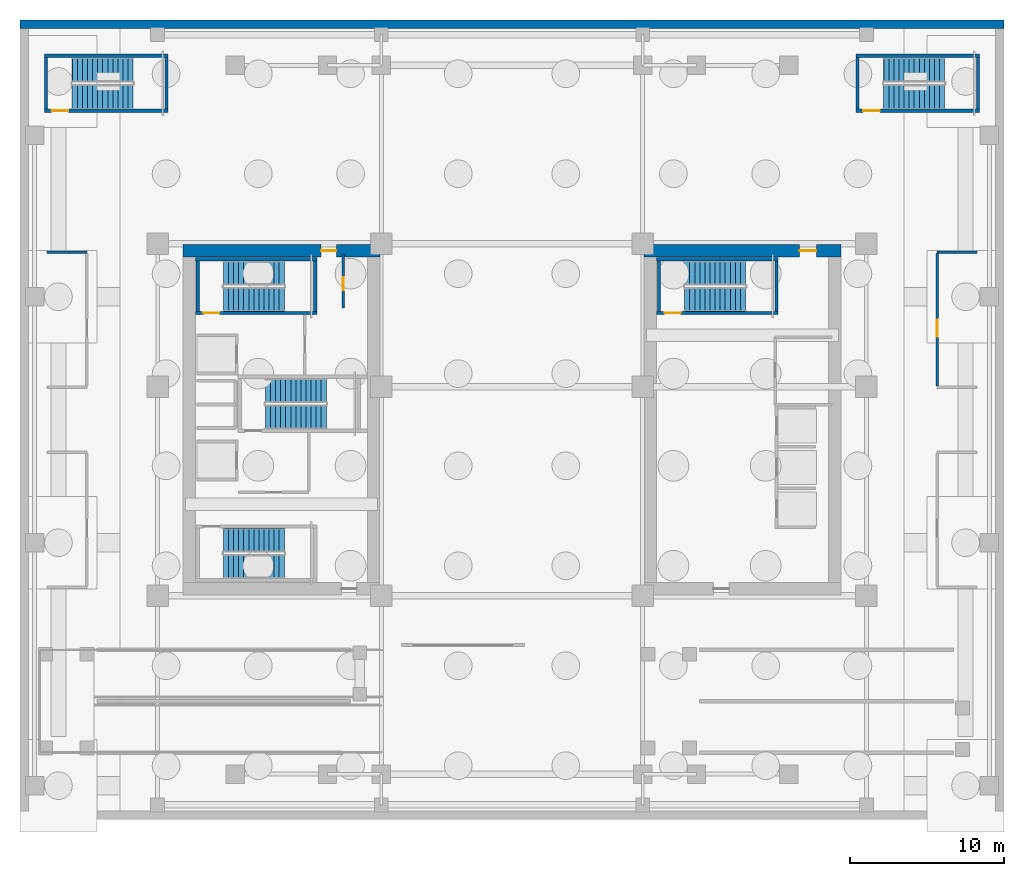
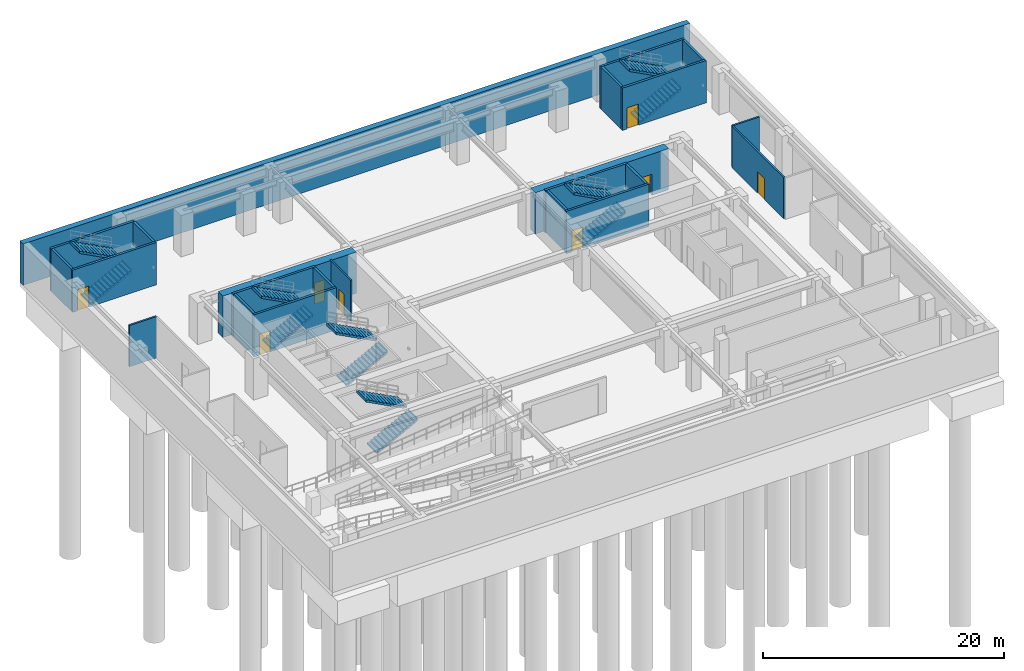
# One storey, part 5 of 9: 23 walls, 12 stair flights, 8 doors, 8 openings, 6 elements without a shape of their own.
"""IFC4 building model written with IfcOpenShell, lengths in metres."""

from ifc_helpers import new_model, si_unit, direction, frame, frame_2d, origin, place, context, subcontext, project, spatial, polyline, rectangle, outline, extrude, source, transform, mapped, material, layer, layer_set, type_object, element, fill, aggregate, save


model = new_model("IFC4")

# Units and contexts
model_context = context("Model", 3, precision=1e-05, world=origin(), true_north=direction((0.0, 1.0)))
body_context = subcontext(model_context, "Body", "Model", "MODEL_VIEW")
ifc_project = project(units=[si_unit("LENGTHUNIT", "METRE"), si_unit("AREAUNIT", "SQUARE_METRE"), si_unit("VOLUMEUNIT", "CUBIC_METRE"), si_unit("PLANEANGLEUNIT", "RADIAN"), si_unit("MASSUNIT", "GRAM", prefix="KILO")], contexts=[model_context])

# Site, building, storey
site_placement = place(None, origin())
site = spatial("IfcSite", under=ifc_project, at=site_placement, CompositionType="ELEMENT")
building_placement = place(site_placement, origin())
building = spatial("IfcBuilding", under=site, at=building_placement, Name="Ocotamira Hotel", CompositionType="ELEMENT")
storey_placement = place(building_placement, frame((0.0, 0.0, -9.0)))
storey = spatial("IfcBuildingStorey", under=building, at=storey_placement, Name="B02", CompositionType="ELEMENT", Elevation=-9.0)

# Wall, opening, door
ifc_material_1 = material(Name="Concrete C60/75", Category="concrete")
ifc_layer_1 = layer(ifc_material_1, 0.800048828125)
ifc_layer_set_1 = layer_set([ifc_layer_1], Name="Concrete C60/75")
wall_type_1 = type_object("IfcWallType", Name="WL-CORE-800", PredefinedType="SHEAR", material=ifc_layer_set_1)
wall_1_placement = place(storey_placement, frame((10.60009765625, 37.0, 0.0), z_axis=(0.0, 0.0, 1.0), x_axis=(1.0, 0.0, 0.0)))
wall_1 = element("IfcWall", 1, at=wall_1_placement, inside=storey, type_object=wall_type_1, Name="B02 Shear Core Wall WCORE-N", PredefinedType="SHEAR", context=body_context, shape_type="SweptSolid", body=[
    extrude(rectangle(XDim=12.7998046875, YDim=0.800048828125, at=frame_2d((6.39990234375, 0.0))), origin(), (0.0, 0.0, 1.0), 4.199951171875),
])
opening_1_placement = place(wall_1_placement, frame((8.97998046875, 0.0, 0.0)))
opening_1 = element("IfcOpeningElement", 2, at=opening_1_placement, cuts=wall_1, Name="Opening D-FR2", PredefinedType="OPENING", context=body_context, shape_type="SweptSolid", body=[
    extrude(rectangle(XDim=1.0, YDim=2.14990234375, at=frame_2d((0.5, 1.074951171875))), frame((0.0, 0.41015625, 0.0), z_axis=(0.0, -1.0, 0.0), x_axis=(1.0, 0.0, 0.0)), (0.0, 0.0, 1.0), 0.820068359375),
])
ifc_material_2 = material(Name="Fire-rated acoustic timber-veneer door", Category="wood")
door_type_1 = type_object("IfcDoorType", Name="DR-FIRE-1000", OperationType="NOTDEFINED", PredefinedType="DOOR", material=ifc_material_2)
shared_shape_1 = source(origin(), body_context, "Body", "SweptSolid", [
    extrude(rectangle(XDim=1.0, YDim=2.14990234375, at=frame_2d((0.5, 1.074951171875))), frame((0.0, 0.02490234375, 0.0), z_axis=(0.0, -1.0, 0.0), x_axis=(1.0, 0.0, 0.0)), (0.0, 0.0, 1.0), 0.050048828125),
])
door_1_placement = place(opening_1_placement, origin())
door_1 = element("IfcDoor", 3, at=door_1_placement, inside=storey, type_object=door_type_1, Name="B02 Door ID-B02-WLOB-N-D [ID-B02-WLOB-N-D]", OperationType="SINGLE_SWING_RIGHT", OverallHeight=2.14990234375, OverallWidth=1.0, PredefinedType="DOOR", context=body_context, shape_type="MappedRepresentation", body=[
    mapped(shared_shape_1, transform((0.0, 0.0, 0.0), scale=1.0)),
])
fill(opening_1, door_1)

wall_2_placement = place(storey_placement, frame((40.60009765625, 37.0, 0.0), z_axis=(0.0, 0.0, 1.0), x_axis=(1.0, 0.0, 0.0)))
wall_2 = element("IfcWall", 4, at=wall_2_placement, inside=storey, type_object=wall_type_1, Name="B02 Shear Core Wall ECORE-N", PredefinedType="SHEAR", context=body_context, shape_type="SweptSolid", body=[
    extrude(rectangle(XDim=12.7998046875, YDim=0.800048828125, at=frame_2d((6.39990234375, 0.0))), origin(), (0.0, 0.0, 1.0), 4.199951171875),
])
opening_2_placement = place(wall_2_placement, frame((10.10009765625, 0.0, 0.0)))
opening_2 = element("IfcOpeningElement", 5, at=opening_2_placement, cuts=wall_2, Name="Opening D-FR1", PredefinedType="OPENING", context=body_context, shape_type="SweptSolid", body=[
    extrude(rectangle(XDim=1.10009765625, YDim=2.14990234375, at=frame_2d((0.550048828125, 1.074951171875))), frame((0.0, 0.41015625, 0.0), z_axis=(0.0, -1.0, 0.0), x_axis=(1.0, 0.0, 0.0)), (0.0, 0.0, 1.0), 0.820068359375),
])
door_type_2 = type_object("IfcDoorType", Name="DR-FIRE-1100", OperationType="NOTDEFINED", PredefinedType="DOOR", material=ifc_material_2)
shared_shape_2 = source(origin(), body_context, "Body", "SweptSolid", [
    extrude(rectangle(XDim=1.10009765625, YDim=2.14990234375, at=frame_2d((0.550048828125, 1.074951171875))), frame((0.0, 0.02490234375, 0.0), z_axis=(0.0, -1.0, 0.0), x_axis=(1.0, 0.0, 0.0)), (0.0, 0.0, 1.0), 0.050048828125),
])
door_2_placement = place(opening_2_placement, origin())
door_2 = element("IfcDoor", 6, at=door_2_placement, inside=storey, type_object=door_type_2, Name="B02 Door ID-B02-ELOB-N-D [ID-B02-ELOB-N-D]", OperationType="SINGLE_SWING_LEFT", OverallHeight=2.14990234375, OverallWidth=1.10009765625, PredefinedType="DOOR", context=body_context, shape_type="MappedRepresentation", body=[
    mapped(shared_shape_2, transform((0.0, 0.0, 0.0), scale=1.0)),
])
fill(opening_2, door_2)

# Walls
ifc_material_3 = material(Name="Acoustic double-layer fire gypsum board partition", Category="gypsum")
ifc_layer_2 = layer(ifc_material_3, 0.159912109375)
ifc_layer_set_2 = layer_set([ifc_layer_2], Name="Acoustic double-layer fire gypsum board partition")
wall_type_2 = type_object("IfcWallType", Name="WL-FIRE-160", PredefinedType="PARTITIONING", material=ifc_layer_set_2)
for number, where, z_axis, x_axis, name in (
    (7, (1.75, 36.8798828125, 0.0), (0.0, 0.0, 1.0), (1.0, 0.0, 0.0), "B02 Interior Wall PW-B02-B02-TANK-N"),
    (8, (59.64990234375, 36.8798828125, 0.0), (0.0, 0.0, 1.0), (1.0, 0.0, 0.0), "B02 Interior Wall PW-B02-B02-LAUN-N"),
):
    element("IfcWall", number, at=place(storey_placement, frame(where, z_axis=z_axis, x_axis=x_axis)), inside=storey, type_object=wall_type_2, Name=name, PredefinedType="PARTITIONING", context=body_context, shape_type="SweptSolid", body=[
        extrude(rectangle(XDim=2.60009765625, YDim=0.159912109375, at=frame_2d((1.300048828125, 0.0))), origin(), (0.0, 0.0, 1.0), 4.199951171875),
    ])

# Wall, opening, door
wall_3_placement = place(storey_placement, frame((59.64990234375, 28.199951171875, 0.0), z_axis=(0.0, 0.0, 1.0), x_axis=(0.0, 1.0, 0.0)))
wall_3 = element("IfcWall", 9, at=wall_3_placement, inside=storey, type_object=wall_type_2, Name="B02 Interior Wall PW-B02-B02-LAUN-W", PredefinedType="PARTITIONING", context=body_context, shape_type="SweptSolid", body=[
    extrude(rectangle(XDim=8.60009765625, YDim=0.159912109375, at=frame_2d((4.300048828125, 0.0))), origin(), (0.0, 0.0, 1.0), 4.199951171875),
])
opening_3_placement = place(wall_3_placement, frame((3.199951171875, 0.0, 0.0)))
opening_3 = element("IfcOpeningElement", 10, at=opening_3_placement, cuts=wall_3, Name="Opening D-FR1", PredefinedType="OPENING", context=body_context, shape_type="SweptSolid", body=[
    extrude(rectangle(XDim=1.10009765625, YDim=2.14990234375, at=frame_2d((0.550048828125, 1.074951171875))), frame((0.0, 0.08984375, 0.0), z_axis=(0.0, -1.0, 0.0), x_axis=(1.0, 0.0, 0.0)), (0.0, 0.0, 1.0), 0.179931640625),
])
door_3_placement = place(opening_3_placement, origin())
door_3 = element("IfcDoor", 11, at=door_3_placement, inside=storey, type_object=door_type_2, Name="B02 Door ID-B02-B02-LAUN-D [ID-B02-B02-LAUN-D]", OperationType="SINGLE_SWING_RIGHT", OverallHeight=2.14990234375, OverallWidth=1.10009765625, PredefinedType="DOOR", context=body_context, shape_type="MappedRepresentation", body=[
    mapped(shared_shape_2, transform((0.0, 0.0, 0.0), scale=1.0)),
])
fill(opening_3, door_3)

ifc_material_4 = material(Name="Acoustic hospitality gypsum board partition", Category="gypsum")
ifc_layer_3 = layer(ifc_material_4, 0.14208984375)
ifc_layer_set_3 = layer_set([ifc_layer_3], Name="Acoustic hospitality gypsum board partition")
wall_type_3 = type_object("IfcWallType", Name="WL-PART-142", PredefinedType="PARTITIONING", material=ifc_layer_set_3)
wall_4_placement = place(storey_placement, frame((21.02001953125, 33.280029296875, 0.0), z_axis=(0.0, 0.0, 1.0), x_axis=(0.0, 1.0, 0.0)))
wall_4 = element("IfcWall", 12, at=wall_4_placement, inside=storey, type_object=wall_type_3, Name="B02 Interior Wall PW-B02-WC-NE-W", PredefinedType="PARTITIONING", context=body_context, shape_type="SweptSolid", body=[
    extrude(rectangle(XDim=3.469970703125, YDim=0.14208984375, at=frame_2d((1.73486328125, 0.0))), origin(), (0.0, 0.0, 1.0), 4.199951171875),
])
opening_4_placement = place(wall_4_placement, frame((1.14990234375, 0.0, 0.0)))
opening_4 = element("IfcOpeningElement", 13, at=opening_4_placement, cuts=wall_4, Name="Opening D-SV1", PredefinedType="OPENING", context=body_context, shape_type="SweptSolid", body=[
    extrude(rectangle(XDim=0.840087890625, YDim=2.10009765625, at=frame_2d((0.419921875, 1.050048828125))), frame((0.0, 0.0810546875, 0.0), z_axis=(0.0, -1.0, 0.0), x_axis=(1.0, 0.0, 0.0)), (0.0, 0.0, 1.0), 0.162109375),
])
ifc_material_5 = material(Name="Fire-rated painted steel service door", Category="steel")
door_type_3 = type_object("IfcDoorType", Name="DR-SERV-840", OperationType="NOTDEFINED", PredefinedType="DOOR", material=ifc_material_5)
shared_shape_3 = source(origin(), body_context, "Body", "SweptSolid", [
    extrude(rectangle(XDim=0.840087890625, YDim=2.10009765625, at=frame_2d((0.419921875, 1.050048828125))), frame((0.0, 0.02490234375, 0.0), z_axis=(0.0, -1.0, 0.0), x_axis=(1.0, 0.0, 0.0)), (0.0, 0.0, 1.0), 0.050048828125),
])
door_4_placement = place(opening_4_placement, origin())
door_4 = element("IfcDoor", 14, at=door_4_placement, inside=storey, type_object=door_type_3, Name="B02 Door ID-B02-WC-NE-D [ID-B02-WC-NE-D]", OperationType="SINGLE_SWING_LEFT", OverallHeight=2.10009765625, OverallWidth=0.840087890625, PredefinedType="DOOR", context=body_context, shape_type="MappedRepresentation", body=[
    mapped(shared_shape_3, transform((0.0, 0.0, 0.0), scale=1.0)),
])
fill(opening_4, door_4)

# Wall
ifc_material_6 = material(Name="Concrete C50/60", Category="concrete")
ifc_layer_4 = layer(ifc_material_6, 0.550048828125)
ifc_layer_set_4 = layer_set([ifc_layer_4], Name="Concrete C50/60")
wall_type_4 = type_object("IfcWallType", Name="WL-RET-550", PredefinedType="USERDEFINED", material=ifc_layer_set_4)
wall_5_placement = place(storey_placement, frame((0.0, 51.72509765625, 0.0), z_axis=(0.0, 0.0, 1.0), x_axis=(1.0, 0.0, 0.0)))
element("IfcWall", 15, at=wall_5_placement, inside=storey, type_object=wall_type_4, Name="B02 Shear Core Wall RW-PERIM-N", ObjectType="RETAINING WALL", PredefinedType="USERDEFINED", context=body_context, shape_type="SweptSolid", body=[
    extrude(rectangle(XDim=64.0, YDim=0.550048828125, at=frame_2d((32.0, 0.0))), origin(), (0.0, 0.0, 1.0), 4.199951171875),
])

# Wall, opening, door
ifc_layer_5 = layer(ifc_material_6, 0.219970703125)
ifc_layer_set_5 = layer_set([ifc_layer_5], Name="Concrete C50/60")
wall_type_5 = type_object("IfcWallType", Name="WL-STAIR-220", PredefinedType="SHEAR", material=ifc_layer_set_5)
wall_6_placement = place(storey_placement, frame((11.39990234375, 32.93994140625, 0.0), z_axis=(0.0, 0.0, 1.0), x_axis=(1.0, 0.0, 0.0)))
wall_6 = element("IfcWall", 16, at=wall_6_placement, inside=storey, type_object=wall_type_5, Name="B02 Stair Shaft Structural Wall ST-2-S", PredefinedType="SHEAR", context=body_context, shape_type="SweptSolid", body=[
    extrude(rectangle(XDim=7.91015625, YDim=0.219970703125, at=frame_2d((3.955078125, 0.0))), origin(), (0.0, 0.0, 1.0), 4.300048828125),
])
opening_5_placement = place(wall_6_placement, frame((0.52001953125, 0.0, 0.0)))
opening_5 = element("IfcOpeningElement", 17, at=opening_5_placement, cuts=wall_6, Name="Opening D-ST2", PredefinedType="OPENING", context=body_context, shape_type="SweptSolid", body=[
    extrude(rectangle(XDim=1.050048828125, YDim=2.14990234375, at=frame_2d((0.52490234375, 1.074951171875))), frame((0.0, 0.1201171875, 0.0), z_axis=(0.0, -1.0, 0.0), x_axis=(1.0, 0.0, 0.0)), (0.0, 0.0, 1.0), 0.239990234375),
])
ifc_material_7 = material(Name="Insulated painted hollow-metal fire exit door", Category="steel")
door_type_4 = type_object("IfcDoorType", Name="DR-STAIR-1050", OperationType="NOTDEFINED", PredefinedType="DOOR", material=ifc_material_7)
shared_shape_4 = source(origin(), body_context, "Body", "SweptSolid", [
    extrude(rectangle(XDim=1.050048828125, YDim=2.14990234375, at=frame_2d((0.52490234375, 1.074951171875))), frame((0.0, 0.02490234375, 0.0), z_axis=(0.0, -1.0, 0.0), x_axis=(1.0, 0.0, 0.0)), (0.0, 0.0, 1.0), 0.050048828125),
])
door_5_placement = place(opening_5_placement, origin())
door_5 = element("IfcDoor", 18, at=door_5_placement, inside=storey, type_object=door_type_4, Name="B02 Door ID-B02-STD-ST-2 [ID-B02-STD-ST-2]", OperationType="SINGLE_SWING_LEFT", OverallHeight=2.14990234375, OverallWidth=1.050048828125, PredefinedType="DOOR", context=body_context, shape_type="MappedRepresentation", body=[
    mapped(shared_shape_4, transform((0.0, 0.0, 0.0), scale=1.0)),
])
fill(opening_5, door_5)

# Walls
wall_7_placement = place(storey_placement, frame((11.39990234375, 36.43994140625, 0.0), z_axis=(0.0, 0.0, 1.0), x_axis=(1.0, 0.0, 0.0)))
element("IfcWall", 19, at=wall_7_placement, inside=storey, type_object=wall_type_5, Name="B02 Stair Shaft Structural Wall ST-2-N", PredefinedType="SHEAR", context=body_context, shape_type="SweptSolid", body=[
    extrude(rectangle(XDim=7.91015625, YDim=0.219970703125, at=frame_2d((3.955078125, 0.0))), origin(), (0.0, 0.0, 1.0), 4.300048828125),
])
for number, where, z_axis, x_axis, name in (
    (20, (11.56005859375, 33.050048828125, 0.0), (0.0, 0.0, 1.0), (0.0, 1.0, 0.0), "B02 Stair Shaft Structural Wall ST-2-W"),
    (21, (19.199951171875, 33.050048828125, 0.0), (0.0, 0.0, 1.0), (0.0, 1.0, 0.0), "B02 Stair Shaft Structural Wall ST-2-E"),
):
    element("IfcWall", number, at=place(storey_placement, frame(where, z_axis=z_axis, x_axis=x_axis)), inside=storey, type_object=wall_type_5, Name=name, PredefinedType="SHEAR", context=body_context, shape_type="SweptSolid", body=[
        extrude(rectangle(XDim=3.280029296875, YDim=0.219970703125, at=frame_2d((1.64013671875, 0.0))), origin(), (0.0, 0.0, 1.0), 4.300048828125),
    ])

# Wall, opening, door
wall_8_placement = place(storey_placement, frame((41.39990234375, 32.93994140625, 0.0), z_axis=(0.0, 0.0, 1.0), x_axis=(1.0, 0.0, 0.0)))
wall_8 = element("IfcWall", 22, at=wall_8_placement, inside=storey, type_object=wall_type_5, Name="B02 Stair Shaft Structural Wall ST-4-S", PredefinedType="SHEAR", context=body_context, shape_type="SweptSolid", body=[
    extrude(rectangle(XDim=7.91015625, YDim=0.219970703125, at=frame_2d((3.955078125, 0.0))), origin(), (0.0, 0.0, 1.0), 4.300048828125),
])
opening_6_placement = place(wall_8_placement, frame((0.52001953125, 0.0, 0.0)))
opening_6 = element("IfcOpeningElement", 23, at=opening_6_placement, cuts=wall_8, Name="Opening D-ST2", PredefinedType="OPENING", context=body_context, shape_type="SweptSolid", body=[
    extrude(rectangle(XDim=1.050048828125, YDim=2.14990234375, at=frame_2d((0.52490234375, 1.074951171875))), frame((0.0, 0.1201171875, 0.0), z_axis=(0.0, -1.0, 0.0), x_axis=(1.0, 0.0, 0.0)), (0.0, 0.0, 1.0), 0.239990234375),
])
door_6_placement = place(opening_6_placement, origin())
door_6 = element("IfcDoor", 24, at=door_6_placement, inside=storey, type_object=door_type_4, Name="B02 Door ID-B02-STD-ST-4 [ID-B02-STD-ST-4]", OperationType="SINGLE_SWING_LEFT", OverallHeight=2.14990234375, OverallWidth=1.050048828125, PredefinedType="DOOR", context=body_context, shape_type="MappedRepresentation", body=[
    mapped(shared_shape_4, transform((0.0, 0.0, 0.0), scale=1.0)),
])
fill(opening_6, door_6)

# Walls
wall_9_placement = place(storey_placement, frame((41.39990234375, 36.43994140625, 0.0), z_axis=(0.0, 0.0, 1.0), x_axis=(1.0, 0.0, 0.0)))
element("IfcWall", 25, at=wall_9_placement, inside=storey, type_object=wall_type_5, Name="B02 Stair Shaft Structural Wall ST-4-N", PredefinedType="SHEAR", context=body_context, shape_type="SweptSolid", body=[
    extrude(rectangle(XDim=7.91015625, YDim=0.219970703125, at=frame_2d((3.955078125, 0.0))), origin(), (0.0, 0.0, 1.0), 4.300048828125),
])
for number, where, z_axis, x_axis, name in (
    (26, (41.56005859375, 33.050048828125, 0.0), (0.0, 0.0, 1.0), (0.0, 1.0, 0.0), "B02 Stair Shaft Structural Wall ST-4-W"),
    (27, (49.199951171875, 33.050048828125, 0.0), (0.0, 0.0, 1.0), (0.0, 1.0, 0.0), "B02 Stair Shaft Structural Wall ST-4-E"),
):
    element("IfcWall", number, at=place(storey_placement, frame(where, z_axis=z_axis, x_axis=x_axis)), inside=storey, type_object=wall_type_5, Name=name, PredefinedType="SHEAR", context=body_context, shape_type="SweptSolid", body=[
        extrude(rectangle(XDim=3.280029296875, YDim=0.219970703125, at=frame_2d((1.64013671875, 0.0))), origin(), (0.0, 0.0, 1.0), 4.300048828125),
    ])

# Wall, opening, door
wall_10_placement = place(storey_placement, frame((1.580078125, 46.090087890625, 0.0), z_axis=(0.0, 0.0, 1.0), x_axis=(1.0, 0.0, 0.0)))
wall_10 = element("IfcWall", 28, at=wall_10_placement, inside=storey, type_object=wall_type_5, Name="B02 Stair Shaft Structural Wall ST-5-S", PredefinedType="SHEAR", context=body_context, shape_type="SweptSolid", body=[
    extrude(rectangle(XDim=8.059814453125, YDim=0.219970703125, at=frame_2d((4.02978515625, 0.0))), origin(), (0.0, 0.0, 1.0), 4.300048828125),
])
opening_7_placement = place(wall_10_placement, frame((0.469970703125, 0.0, 0.0)))
opening_7 = element("IfcOpeningElement", 29, at=opening_7_placement, cuts=wall_10, Name="Opening D-ST1", PredefinedType="OPENING", context=body_context, shape_type="SweptSolid", body=[
    extrude(rectangle(XDim=1.10009765625, YDim=2.14990234375, at=frame_2d((0.550048828125, 1.074951171875))), frame((0.0, 0.1201171875, 0.0), z_axis=(0.0, -1.0, 0.0), x_axis=(1.0, 0.0, 0.0)), (0.0, 0.0, 1.0), 0.239990234375),
])
door_type_5 = type_object("IfcDoorType", Name="DR-STAIR-1100", OperationType="NOTDEFINED", PredefinedType="DOOR", material=ifc_material_7)
door_7_placement = place(opening_7_placement, origin())
door_7 = element("IfcDoor", 30, at=door_7_placement, inside=storey, type_object=door_type_5, Name="B02 Door ID-B02-STD-ST-5 [ID-B02-STD-ST-5]", OperationType="SINGLE_SWING_RIGHT", OverallHeight=2.14990234375, OverallWidth=1.10009765625, PredefinedType="DOOR", context=body_context, shape_type="MappedRepresentation", body=[
    mapped(shared_shape_2, transform((0.0, 0.0, 0.0), scale=1.0)),
])
fill(opening_7, door_7)

# Walls
wall_11_placement = place(storey_placement, frame((1.580078125, 49.669921875, 0.0), z_axis=(0.0, 0.0, 1.0), x_axis=(1.0, 0.0, 0.0)))
element("IfcWall", 31, at=wall_11_placement, inside=storey, type_object=wall_type_5, Name="B02 Stair Shaft Structural Wall ST-5-N", PredefinedType="SHEAR", context=body_context, shape_type="SweptSolid", body=[
    extrude(rectangle(XDim=8.059814453125, YDim=0.219970703125, at=frame_2d((4.02978515625, 0.0))), origin(), (0.0, 0.0, 1.0), 4.300048828125),
])
for number, where, z_axis, x_axis, name in (
    (32, (1.68994140625, 46.199951171875, 0.0), (0.0, 0.0, 1.0), (0.0, 1.0, 0.0), "B02 Stair Shaft Structural Wall ST-5-W"),
    (33, (9.530029296875, 46.199951171875, 0.0), (0.0, 0.0, 1.0), (0.0, 1.0, 0.0), "B02 Stair Shaft Structural Wall ST-5-E"),
):
    element("IfcWall", number, at=place(storey_placement, frame(where, z_axis=z_axis, x_axis=x_axis)), inside=storey, type_object=wall_type_5, Name=name, PredefinedType="SHEAR", context=body_context, shape_type="SweptSolid", body=[
        extrude(rectangle(XDim=3.360107421875, YDim=0.219970703125, at=frame_2d((1.68017578125, 0.0))), origin(), (0.0, 0.0, 1.0), 4.300048828125),
    ])

# Wall, opening, door
wall_12_placement = place(storey_placement, frame((54.360107421875, 46.090087890625, 0.0), z_axis=(0.0, 0.0, 1.0), x_axis=(1.0, 0.0, 0.0)))
wall_12 = element("IfcWall", 34, at=wall_12_placement, inside=storey, type_object=wall_type_5, Name="B02 Stair Shaft Structural Wall ST-6-S", PredefinedType="SHEAR", context=body_context, shape_type="SweptSolid", body=[
    extrude(rectangle(XDim=8.059814453125, YDim=0.219970703125, at=frame_2d((4.02978515625, 0.0))), origin(), (0.0, 0.0, 1.0), 4.300048828125),
])
opening_8_placement = place(wall_12_placement, frame((0.469970703125, 0.0, 0.0)))
opening_8 = element("IfcOpeningElement", 35, at=opening_8_placement, cuts=wall_12, Name="Opening D-ST1", PredefinedType="OPENING", context=body_context, shape_type="SweptSolid", body=[
    extrude(rectangle(XDim=1.10009765625, YDim=2.14990234375, at=frame_2d((0.550048828125, 1.074951171875))), frame((0.0, 0.1201171875, 0.0), z_axis=(0.0, -1.0, 0.0), x_axis=(1.0, 0.0, 0.0)), (0.0, 0.0, 1.0), 0.239990234375),
])
door_8_placement = place(opening_8_placement, origin())
door_8 = element("IfcDoor", 36, at=door_8_placement, inside=storey, type_object=door_type_5, Name="B02 Door ID-B02-STD-ST-6 [ID-B02-STD-ST-6]", OperationType="SINGLE_SWING_LEFT", OverallHeight=2.14990234375, OverallWidth=1.10009765625, PredefinedType="DOOR", context=body_context, shape_type="MappedRepresentation", body=[
    mapped(shared_shape_2, transform((0.0, 0.0, 0.0), scale=1.0)),
])
fill(opening_8, door_8)

# Walls
wall_13_placement = place(storey_placement, frame((54.360107421875, 49.669921875, 0.0), z_axis=(0.0, 0.0, 1.0), x_axis=(1.0, 0.0, 0.0)))
element("IfcWall", 37, at=wall_13_placement, inside=storey, type_object=wall_type_5, Name="B02 Stair Shaft Structural Wall ST-6-N", PredefinedType="SHEAR", context=body_context, shape_type="SweptSolid", body=[
    extrude(rectangle(XDim=8.059814453125, YDim=0.219970703125, at=frame_2d((4.02978515625, 0.0))), origin(), (0.0, 0.0, 1.0), 4.300048828125),
])
for number, where, z_axis, x_axis, name in (
    (38, (54.469970703125, 46.199951171875, 0.0), (0.0, 0.0, 1.0), (0.0, 1.0, 0.0), "B02 Stair Shaft Structural Wall ST-6-W"),
    (39, (62.31005859375, 46.199951171875, 0.0), (0.0, 0.0, 1.0), (0.0, 1.0, 0.0), "B02 Stair Shaft Structural Wall ST-6-E"),
):
    element("IfcWall", number, at=place(storey_placement, frame(where, z_axis=z_axis, x_axis=x_axis)), inside=storey, type_object=wall_type_5, Name=name, PredefinedType="SHEAR", context=body_context, shape_type="SweptSolid", body=[
        extrude(rectangle(XDim=3.360107421875, YDim=0.219970703125, at=frame_2d((1.68017578125, 0.0))), origin(), (0.0, 0.0, 1.0), 4.300048828125),
    ])

# Stair, stair flights
ifc_material_8 = material(Name="Concrete C40/50", Category="concrete")
stair_type_1 = type_object("IfcStairType", Name="ST-CORE-1560", PredefinedType="HALF_TURN_STAIR", material=ifc_material_8)
stair_1_placement = place(storey_placement, origin())
stair_1 = element("IfcStair", 40, at=stair_1_placement, inside=storey, type_object=stair_type_1, Name="B02 Exit Stair ST-1", PredefinedType="HALF_TURN_STAIR")
stair_flight_type_1 = type_object("IfcStairFlightType", Name="STF-CORE-1560", PredefinedType="STRAIGHT", material=ifc_material_8)
shared_shape_5 = source(origin(), body_context, "Body", "SweptSolid", [
    extrude(outline(polyline([(-0.00390625, 0.0), (-0.00390625, 0.173095703125), (0.330078125, 0.173095703125), (0.330078125, 0.34619140625), (0.659912109375, 0.34619140625), (0.659912109375, 0.519287109375), (0.989990234375, 0.519287109375), (0.989990234375, 0.6923828125), (1.320068359375, 0.6923828125), (1.320068359375, 0.865478515625), (1.64990234375, 0.865478515625), (1.64990234375, 1.03857421875), (1.97998046875, 1.03857421875), (1.97998046875, 1.21142578125), (2.31005859375, 1.21142578125), (2.31005859375, 1.384521484375), (2.639892578125, 1.384521484375), (2.639892578125, 1.5576171875), (2.969970703125, 1.5576171875), (2.969970703125, 1.730712890625), (3.300048828125, 1.730712890625), (3.300048828125, 1.90380859375), (3.6298828125, 1.90380859375), (3.6298828125, 2.076904296875), (3.9599609375, 2.076904296875), (3.9599609375, 2.25), (3.964111328125, 2.25), (3.964111328125, 1.90771484375), (0.32275390625, 0.0), (-0.00390625, 0.0)])), frame((0.0, 0.780029296875, 0.0), z_axis=(0.0, -1.0, 0.0), x_axis=(1.0, 0.0, 0.0)), (0.0, 0.0, 1.0), 1.56005859375),
])
stair_flight_1_placement = place(storey_placement, frame((13.22998046875, 16.449951171875, 0.0), z_axis=(0.0, 0.0, 1.0), x_axis=(1.0, 0.0, 0.0)))
stair_flight_1 = element("IfcStairFlight", 41, at=stair_flight_1_placement, type_object=stair_flight_type_1, Name="ST-1 flight 1", NumberOfRisers=13, NumberOfTreads=12, PredefinedType="STRAIGHT", RiserHeight=0.173076923, TreadLength=0.33, context=body_context, shape_type="MappedRepresentation", body=[
    mapped(shared_shape_5, transform((0.0, 0.0, 0.0), scale=1.0)),
])
stair_flight_2_placement = place(storey_placement, frame((17.18994140625, 18.169921875, 2.25), z_axis=(0.0, 0.0, 1.0), x_axis=(-1.0, 0.0, 0.0)))
stair_flight_2 = element("IfcStairFlight", 42, at=stair_flight_2_placement, type_object=stair_flight_type_1, Name="ST-1 flight 2", NumberOfRisers=13, NumberOfTreads=12, PredefinedType="STRAIGHT", RiserHeight=0.173076923, TreadLength=0.33, context=body_context, shape_type="MappedRepresentation", body=[
    mapped(shared_shape_5, transform((0.0, 0.0, 0.0), scale=1.0)),
])
aggregate(stair_1, [stair_flight_1, stair_flight_2])

stair_2_placement = place(storey_placement, origin())
stair_2 = element("IfcStair", 43, at=stair_2_placement, inside=storey, type_object=stair_type_1, Name="B02 Exit Stair ST-2", PredefinedType="HALF_TURN_STAIR")
stair_flight_3_placement = place(storey_placement, frame((13.22998046875, 33.830078125, 0.0), z_axis=(0.0, 0.0, 1.0), x_axis=(1.0, 0.0, 0.0)))
stair_flight_3 = element("IfcStairFlight", 44, at=stair_flight_3_placement, type_object=stair_flight_type_1, Name="ST-2 flight 1", NumberOfRisers=13, NumberOfTreads=12, PredefinedType="STRAIGHT", RiserHeight=0.173076923, TreadLength=0.33, context=body_context, shape_type="MappedRepresentation", body=[
    mapped(shared_shape_5, transform((0.0, 0.0, 0.0), scale=1.0)),
])
stair_flight_4_placement = place(storey_placement, frame((17.18994140625, 35.550048828125, 2.25), z_axis=(0.0, 0.0, 1.0), x_axis=(-1.0, 0.0, 0.0)))
stair_flight_4 = element("IfcStairFlight", 45, at=stair_flight_4_placement, type_object=stair_flight_type_1, Name="ST-2 flight 2", NumberOfRisers=13, NumberOfTreads=12, PredefinedType="STRAIGHT", RiserHeight=0.173076923, TreadLength=0.33, context=body_context, shape_type="MappedRepresentation", body=[
    mapped(shared_shape_5, transform((0.0, 0.0, 0.0), scale=1.0)),
])
aggregate(stair_2, [stair_flight_3, stair_flight_4])

stair_3_placement = place(storey_placement, origin())
stair_3 = element("IfcStair", 46, at=stair_3_placement, inside=storey, type_object=stair_type_1, Name="B02 Exit Stair ST-3", PredefinedType="HALF_TURN_STAIR")
stair_flight_5_placement = place(storey_placement, frame((15.9599609375, 26.179931640625, 0.0), z_axis=(0.0, 0.0, 1.0), x_axis=(1.0, 0.0, 0.0)))
stair_flight_5 = element("IfcStairFlight", 47, at=stair_flight_5_placement, type_object=stair_flight_type_1, Name="ST-3 flight 1", NumberOfRisers=13, NumberOfTreads=12, PredefinedType="STRAIGHT", RiserHeight=0.173076923, TreadLength=0.33, context=body_context, shape_type="MappedRepresentation", body=[
    mapped(shared_shape_5, transform((0.0, 0.0, 0.0), scale=1.0)),
])
stair_flight_6_placement = place(storey_placement, frame((19.919921875, 27.89990234375, 2.25), z_axis=(0.0, 0.0, 1.0), x_axis=(-1.0, 0.0, 0.0)))
stair_flight_6 = element("IfcStairFlight", 48, at=stair_flight_6_placement, type_object=stair_flight_type_1, Name="ST-3 flight 2", NumberOfRisers=13, NumberOfTreads=12, PredefinedType="STRAIGHT", RiserHeight=0.173076923, TreadLength=0.33, context=body_context, shape_type="MappedRepresentation", body=[
    mapped(shared_shape_5, transform((0.0, 0.0, 0.0), scale=1.0)),
])
aggregate(stair_3, [stair_flight_5, stair_flight_6])

stair_4_placement = place(storey_placement, origin())
stair_4 = element("IfcStair", 49, at=stair_4_placement, inside=storey, type_object=stair_type_1, Name="B02 Exit Stair ST-4", PredefinedType="HALF_TURN_STAIR")
stair_flight_7_placement = place(storey_placement, frame((43.22998046875, 33.830078125, 0.0), z_axis=(0.0, 0.0, 1.0), x_axis=(1.0, 0.0, 0.0)))
stair_flight_7 = element("IfcStairFlight", 50, at=stair_flight_7_placement, type_object=stair_flight_type_1, Name="ST-4 flight 1", NumberOfRisers=13, NumberOfTreads=12, PredefinedType="STRAIGHT", RiserHeight=0.173076923, TreadLength=0.33, context=body_context, shape_type="MappedRepresentation", body=[
    mapped(shared_shape_5, transform((0.0, 0.0, 0.0), scale=1.0)),
])
stair_flight_8_placement = place(storey_placement, frame((47.18994140625, 35.550048828125, 2.25), z_axis=(0.0, 0.0, 1.0), x_axis=(-1.0, 0.0, 0.0)))
stair_flight_8 = element("IfcStairFlight", 51, at=stair_flight_8_placement, type_object=stair_flight_type_1, Name="ST-4 flight 2", NumberOfRisers=13, NumberOfTreads=12, PredefinedType="STRAIGHT", RiserHeight=0.173076923, TreadLength=0.33, context=body_context, shape_type="MappedRepresentation", body=[
    mapped(shared_shape_5, transform((0.0, 0.0, 0.0), scale=1.0)),
])
aggregate(stair_4, [stair_flight_7, stair_flight_8])

stair_type_2 = type_object("IfcStairType", Name="ST-POD-1600", PredefinedType="HALF_TURN_STAIR", material=ifc_material_8)
stair_5_placement = place(storey_placement, origin())
stair_5 = element("IfcStair", 52, at=stair_5_placement, inside=storey, type_object=stair_type_2, Name="B02 Exit Stair ST-5", PredefinedType="HALF_TURN_STAIR")
stair_flight_type_2 = type_object("IfcStairFlightType", Name="STF-POD-1600", PredefinedType="STRAIGHT", material=ifc_material_8)
shared_shape_6 = source(origin(), body_context, "Body", "SweptSolid", [
    extrude(outline(polyline([(-0.00390625, 0.0), (-0.00390625, 0.173095703125), (0.330078125, 0.173095703125), (0.330078125, 0.34619140625), (0.659912109375, 0.34619140625), (0.659912109375, 0.519287109375), (0.989990234375, 0.519287109375), (0.989990234375, 0.6923828125), (1.320068359375, 0.6923828125), (1.320068359375, 0.865478515625), (1.64990234375, 0.865478515625), (1.64990234375, 1.03857421875), (1.97998046875, 1.03857421875), (1.97998046875, 1.21142578125), (2.31005859375, 1.21142578125), (2.31005859375, 1.384521484375), (2.639892578125, 1.384521484375), (2.639892578125, 1.5576171875), (2.969970703125, 1.5576171875), (2.969970703125, 1.730712890625), (3.300048828125, 1.730712890625), (3.300048828125, 1.90380859375), (3.6298828125, 1.90380859375), (3.6298828125, 2.076904296875), (3.9599609375, 2.076904296875), (3.9599609375, 2.25), (3.964111328125, 2.25), (3.964111328125, 1.90771484375), (0.32275390625, 0.0), (-0.00390625, 0.0)])), frame((0.0, 0.800048828125, 0.0), z_axis=(0.0, -1.0, 0.0), x_axis=(1.0, 0.0, 0.0)), (0.0, 0.0, 1.0), 1.60009765625),
])
stair_flight_9_placement = place(storey_placement, frame((3.39990234375, 47.0, 0.0), z_axis=(0.0, 0.0, 1.0), x_axis=(1.0, 0.0, 0.0)))
stair_flight_9 = element("IfcStairFlight", 53, at=stair_flight_9_placement, type_object=stair_flight_type_2, Name="ST-5 flight 1", NumberOfRisers=13, NumberOfTreads=12, PredefinedType="STRAIGHT", RiserHeight=0.173076923, TreadLength=0.33, context=body_context, shape_type="MappedRepresentation", body=[
    mapped(shared_shape_6, transform((0.0, 0.0, 0.0), scale=1.0)),
])
stair_flight_10_placement = place(storey_placement, frame((7.360107421875, 48.760009765625, 2.25), z_axis=(0.0, 0.0, 1.0), x_axis=(-1.0, 0.0, 0.0)))
stair_flight_10 = element("IfcStairFlight", 54, at=stair_flight_10_placement, type_object=stair_flight_type_2, Name="ST-5 flight 2", NumberOfRisers=13, NumberOfTreads=12, PredefinedType="STRAIGHT", RiserHeight=0.173076923, TreadLength=0.33, context=body_context, shape_type="MappedRepresentation", body=[
    mapped(shared_shape_6, transform((0.0, 0.0, 0.0), scale=1.0)),
])
aggregate(stair_5, [stair_flight_9, stair_flight_10])

stair_6_placement = place(storey_placement, origin())
stair_6 = element("IfcStair", 55, at=stair_6_placement, inside=storey, type_object=stair_type_2, Name="B02 Exit Stair ST-6", PredefinedType="HALF_TURN_STAIR")
stair_flight_11_placement = place(storey_placement, frame((56.179931640625, 47.0, 0.0), z_axis=(0.0, 0.0, 1.0), x_axis=(1.0, 0.0, 0.0)))
stair_flight_11 = element("IfcStairFlight", 56, at=stair_flight_11_placement, type_object=stair_flight_type_2, Name="ST-6 flight 1", NumberOfRisers=13, NumberOfTreads=12, PredefinedType="STRAIGHT", RiserHeight=0.173076923, TreadLength=0.33, context=body_context, shape_type="MappedRepresentation", body=[
    mapped(shared_shape_6, transform((0.0, 0.0, 0.0), scale=1.0)),
])
stair_flight_12_placement = place(storey_placement, frame((60.139892578125, 48.760009765625, 2.25), z_axis=(0.0, 0.0, 1.0), x_axis=(-1.0, 0.0, 0.0)))
stair_flight_12 = element("IfcStairFlight", 57, at=stair_flight_12_placement, type_object=stair_flight_type_2, Name="ST-6 flight 2", NumberOfRisers=13, NumberOfTreads=12, PredefinedType="STRAIGHT", RiserHeight=0.173076923, TreadLength=0.33, context=body_context, shape_type="MappedRepresentation", body=[
    mapped(shared_shape_6, transform((0.0, 0.0, 0.0), scale=1.0)),
])
aggregate(stair_6, [stair_flight_11, stair_flight_12])

save(model, "model.ifc")
